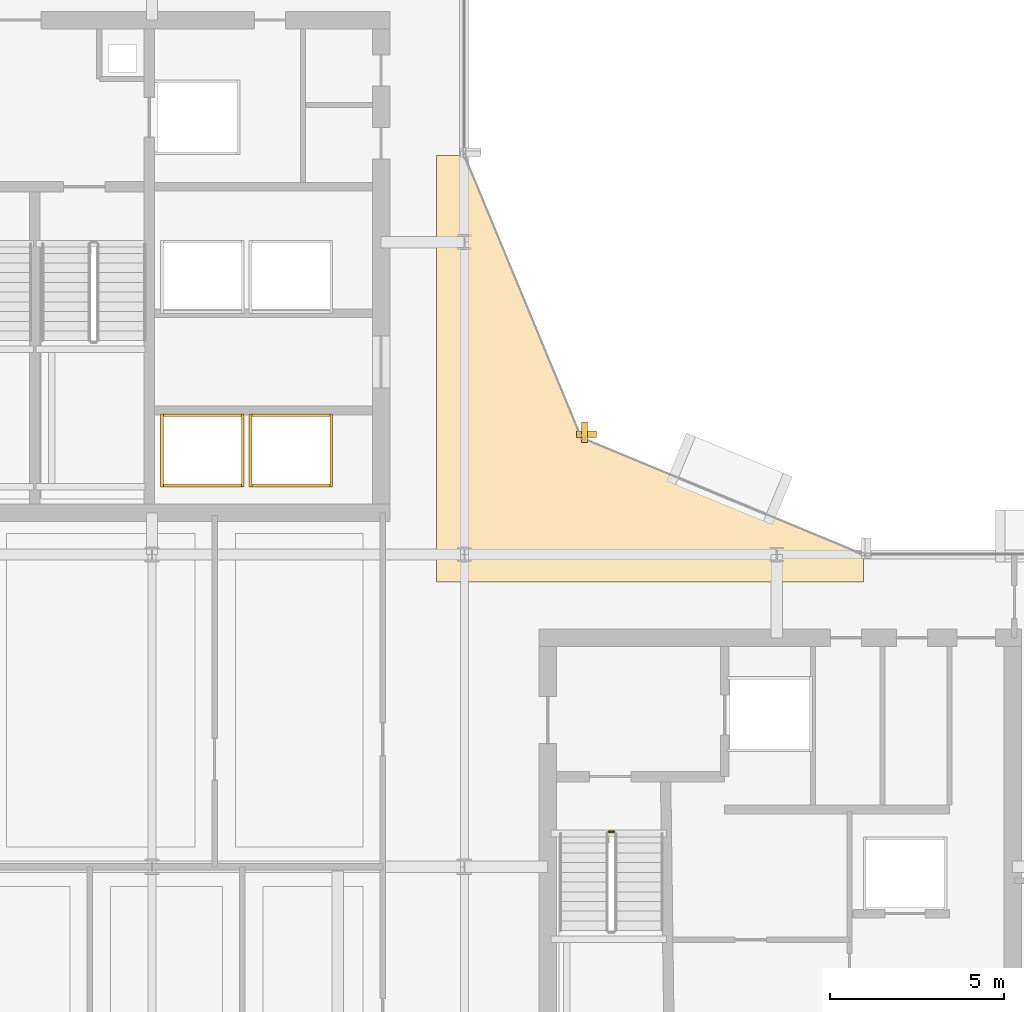
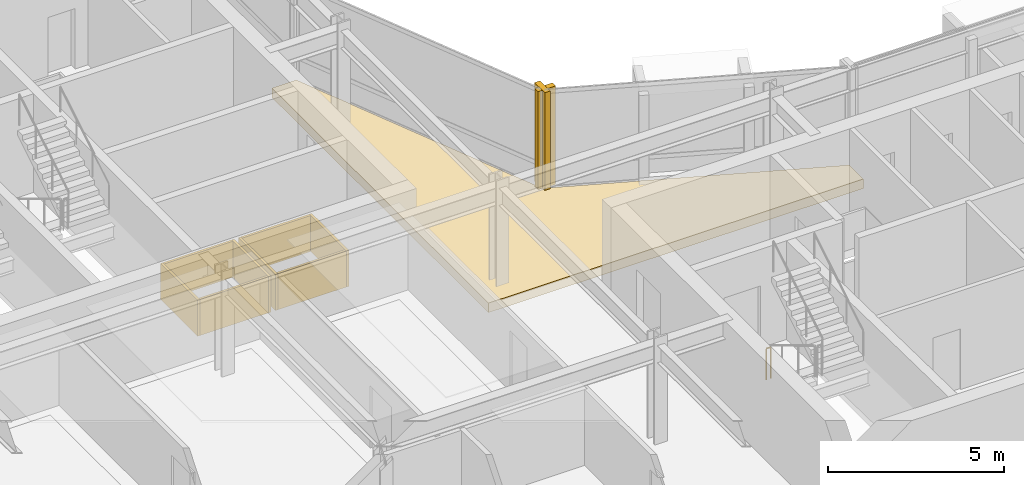
# One storey, part 26 of 28: 11 coverings, 1 railing.
"""IFC4 building model written with IfcOpenShell, lengths in metres."""

from ifc_helpers import new_model, si_unit, direction, frame, origin, origin_2d, place, context, subcontext, project, spatial, polyline, rectangle, circle, outline, extrude, material, layer, layer_set, type_object, element, save


model = new_model("IFC4")

# Units and contexts
model_context = context("Model", 3, precision=1e-05, world=origin(), true_north=direction((0.0, 1.0)))
body_context = subcontext(model_context, "Body", "Model", "MODEL_VIEW")
ifc_project = project(units=[si_unit("LENGTHUNIT", "METRE"), si_unit("AREAUNIT", "SQUARE_METRE"), si_unit("VOLUMEUNIT", "CUBIC_METRE"), si_unit("PLANEANGLEUNIT", "RADIAN"), si_unit("MASSUNIT", "GRAM", prefix="KILO")], contexts=[model_context])

# Site, building, storey
site_placement = place(None, origin())
site = spatial("IfcSite", under=ifc_project, at=site_placement, CompositionType="ELEMENT")
building_placement = place(site_placement, origin())
building = spatial("IfcBuilding", under=site, at=building_placement, Name="Solvaryn Broadcast Tower", CompositionType="ELEMENT")
storey_placement = place(building_placement, frame((0.0, 0.0, 158.10009765625)))
storey = spatial("IfcBuildingStorey", under=building, at=storey_placement, Name="L39", CompositionType="ELEMENT", Elevation=158.10009765625)

# Coverings
ifc_material_1 = material(Name="Fire-Rated Gypsum Shaftwall Liner", Category="concrete")
ifc_layer_1 = layer(ifc_material_1, 0.080078125)
ifc_layer_set_1 = layer_set([ifc_layer_1], Name="CV-SHAFT-LINER")
covering_type_1 = type_object("IfcCoveringType", Name="CV-SHAFT-LINER", PredefinedType="CLADDING", material=ifc_layer_set_1)
for number, where, z_axis, x_axis, name in (
    (1, (19.449951171875, 31.014892578125, 0.0), (0.0, 0.0, 1.0), (1.0, 0.0, 0.0), "L39 PH1 Hoistway Shaft Liner North"),
    (2, (19.449951171875, 28.985107421875, 0.0), (0.0, 0.0, 1.0), (1.0, 0.0, 0.0), "L39 PH1 Hoistway Shaft Liner South"),
):
    element("IfcCovering", number, at=place(storey_placement, frame(where, z_axis=z_axis, x_axis=x_axis)), inside=storey, type_object=covering_type_1, Name=name, PredefinedType="CLADDING", context=body_context, shape_type="SweptSolid", body=[
        extrude(rectangle(XDim=2.409912109375, YDim=0.080078125, at=origin_2d()), origin(), (0.0, 0.0, 1.0), 1.25),
    ])
for number, where, z_axis, x_axis, name in (
    (3, (20.614990234375, 30.0, 0.0), (0.0, 0.0, 1.0), (1.0, 0.0, 0.0), "L39 PH1 Hoistway Shaft Liner East"),
    (4, (18.284912109375, 30.0, 0.0), (0.0, 0.0, 1.0), (1.0, 0.0, 0.0), "L39 PH1 Hoistway Shaft Liner West"),
):
    element("IfcCovering", number, at=place(storey_placement, frame(where, z_axis=z_axis, x_axis=x_axis)), inside=storey, type_object=covering_type_1, Name=name, PredefinedType="CLADDING", context=body_context, shape_type="SweptSolid", body=[
        extrude(rectangle(XDim=0.080078125, YDim=2.110107421875, at=origin_2d()), origin(), (0.0, 0.0, 1.0), 1.25),
    ])
for number, where, z_axis, x_axis, name in (
    (5, (22.0, 31.014892578125, 0.0), (0.0, 0.0, 1.0), (1.0, 0.0, 0.0), "L39 PH2 Hoistway Shaft Liner North"),
    (6, (22.0, 28.985107421875, 0.0), (0.0, 0.0, 1.0), (1.0, 0.0, 0.0), "L39 PH2 Hoistway Shaft Liner South"),
):
    element("IfcCovering", number, at=place(storey_placement, frame(where, z_axis=z_axis, x_axis=x_axis)), inside=storey, type_object=covering_type_1, Name=name, PredefinedType="CLADDING", context=body_context, shape_type="SweptSolid", body=[
        extrude(rectangle(XDim=2.409912109375, YDim=0.080078125, at=origin_2d()), origin(), (0.0, 0.0, 1.0), 1.25),
    ])
for number, where, z_axis, x_axis, name in (
    (7, (23.1650390625, 30.0, 0.0), (0.0, 0.0, 1.0), (1.0, 0.0, 0.0), "L39 PH2 Hoistway Shaft Liner East"),
    (8, (20.8349609375, 30.0, 0.0), (0.0, 0.0, 1.0), (1.0, 0.0, 0.0), "L39 PH2 Hoistway Shaft Liner West"),
):
    element("IfcCovering", number, at=place(storey_placement, frame(where, z_axis=z_axis, x_axis=x_axis)), inside=storey, type_object=covering_type_1, Name=name, PredefinedType="CLADDING", context=body_context, shape_type="SweptSolid", body=[
        extrude(rectangle(XDim=0.080078125, YDim=2.110107421875, at=origin_2d()), origin(), (0.0, 0.0, 1.0), 1.25),
    ])
ifc_material_2 = material(Name="Extruded Architectural Terracotta Fin", Category="masonry")
ifc_layer_2 = layer(ifc_material_2, 0.179931640625)
ifc_layer_set_2 = layer_set([ifc_layer_2], Name="CV-TC-FIN")
covering_type_2 = type_object("IfcCoveringType", Name="CV-TC-FIN", PredefinedType="USERDEFINED", material=ifc_layer_set_2)
covering_1_placement = place(storey_placement, frame((30.464599609375, 30.52294921875, 0.0), z_axis=(0.0, 0.0, 1.0), x_axis=(1.0, 0.0, 0.0)))
element("IfcCovering", 9, at=covering_1_placement, inside=storey, type_object=covering_type_2, Name="L39 Terracotta Vertical Fin FIN-L39-CN1-M01", ObjectType="FIN", PredefinedType="USERDEFINED", context=body_context, shape_type="SweptSolid", body=[
    extrude(rectangle(XDim=0.179931640625, YDim=0.580078125, at=origin_2d()), origin(), (0.0, 0.0, 1.0), 3.419921875),
])
covering_2_placement = place(storey_placement, frame((30.52294921875, 30.464599609375, 0.0), z_axis=(0.0, 0.0, 1.0), x_axis=(1.0, 0.0, 0.0)))
element("IfcCovering", 10, at=covering_2_placement, inside=storey, type_object=covering_type_2, Name="L39 Terracotta Vertical Fin FIN-L39-CN2-M00", ObjectType="FIN", PredefinedType="USERDEFINED", context=body_context, shape_type="SweptSolid", body=[
    extrude(rectangle(XDim=0.580078125, YDim=0.179931640625, at=origin_2d()), origin(), (0.0, 0.0, 1.0), 3.419921875),
])
ifc_material_3 = material(Name="Sculpted Architectural Terracotta Wave Fascia", Category="masonry")
ifc_layer_3 = layer(ifc_material_3, 0.340087890625)
ifc_layer_set_3 = layer_set([ifc_layer_3], Name="CV-WAVE-TRAY")
covering_type_3 = type_object("IfcCoveringType", Name="CV-WAVE-TRAY", PredefinedType="CLADDING", material=ifc_layer_set_3)
covering_3_placement = place(storey_placement, frame((0.0, 0.0, -0.300048828125)))
element("IfcCovering", 11, at=covering_3_placement, inside=storey, type_object=covering_type_3, Name="L39 Concave Canyon Floor Apron", PredefinedType="CLADDING", context=body_context, shape_type="SweptSolid", body=[
    extrude(outline(polyline([(26.199951171875, 26.199951171875), (38.5, 26.199951171875), (38.5, 27.0), (30.367919921875, 30.367919921875), (27.0, 38.5), (26.199951171875, 38.5), (26.199951171875, 26.199951171875)])), origin(), (0.0, 0.0, 1.0), 0.329833984375),
])

# Railing
ifc_material_4 = material(Name="Painted Steel Stair Well Guard", Category="steel")
railing_type = type_object("IfcRailingType", Name="RL-STAIR-GUARD", PredefinedType="BALUSTRADE", material=ifc_material_4)
railing_placement = place(storey_placement, frame((31.159912109375, 19.010009765625, 0.0)))
element("IfcRailing", 12, at=railing_placement, inside=storey, type_object=railing_type, Name="L39 ST3 stair guard 4", PredefinedType="BALUSTRADE", context=body_context, shape_type="SweptSolid", body=[
    extrude(circle(Radius=0.02392578125, at=origin_2d()), frame((0.0, 0.0, 1.076171875), z_axis=(1.0, 0.0, 0.0), x_axis=(0.0, 1.0, 0.0)), (0.0, 0.0, 1.0), 0.150146484375),
    extrude(circle(Radius=0.02099609375, at=origin_2d()), origin(), (0.0, 0.0, 1.0), 1.052001953125),
    extrude(circle(Radius=0.02099609375, at=origin_2d()), frame((0.150146484375, 0.0, 0.0)), (0.0, 0.0, 1.0), 1.052001953125),
])

save(model, "model.ifc")
